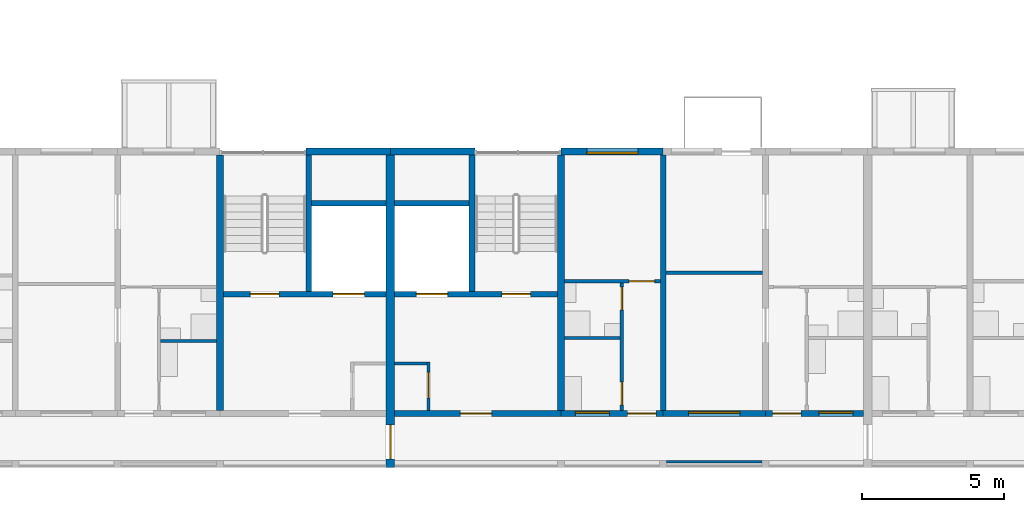
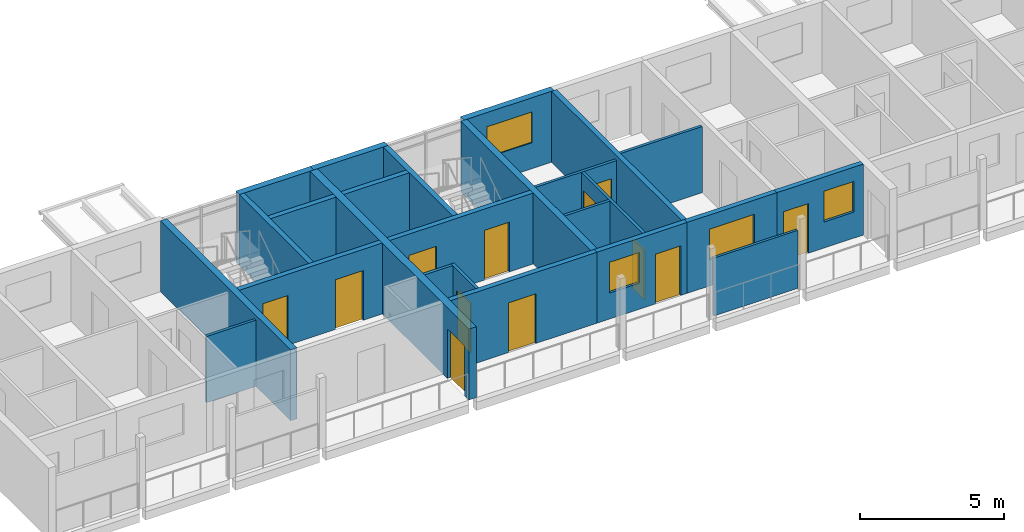
# One storey, part 46 of 94: 25 walls, 12 doors, 4 windows, 16 openings.
"""IFC4 building model written with IfcOpenShell, lengths in metres."""

from ifc_helpers import new_model, si_unit, direction, frame, frame_2d, origin, place, context, subcontext, project, spatial, rectangle, extrude, material, layer, layer_set, type_object, element, fill, save


model = new_model("IFC4")

# Units and contexts
model_context = context("Model", 3, precision=1e-05, world=origin(), true_north=direction((0.0, 1.0)))
body_context = subcontext(model_context, "Body", "Model", "MODEL_VIEW")
ifc_project = project(units=[si_unit("LENGTHUNIT", "METRE"), si_unit("AREAUNIT", "SQUARE_METRE"), si_unit("VOLUMEUNIT", "CUBIC_METRE"), si_unit("PLANEANGLEUNIT", "RADIAN"), si_unit("MASSUNIT", "GRAM", prefix="KILO")], contexts=[model_context])

# Site, building, storey
site_placement = place(None, origin())
site = spatial("IfcSite", under=ifc_project, at=site_placement, CompositionType="ELEMENT")
building_placement = place(site_placement, origin())
building = spatial("IfcBuilding", under=site, at=building_placement, Name="Ridgestep Commons", CompositionType="ELEMENT")
storey_placement = place(building_placement, frame((0.0, 0.0, 24.0)))
storey = spatial("IfcBuildingStorey", under=building, at=storey_placement, Name="L08", CompositionType="ELEMENT", Elevation=24.0)

# Walls
ifc_material_1 = material(Name="Concrete C30/37", Category="concrete")
ifc_layer_1 = layer(ifc_material_1, 0.25)
ifc_layer_set_1 = layer_set([ifc_layer_1], Name="Core cross wall 250")
wall_type_1 = type_object("IfcWallType", Name="Core cross wall 250", PredefinedType="SHEAR", material=ifc_layer_set_1)
for number, where, z_axis, x_axis, name in (
    (1, (157.60009765625, 13.75, 0.0), (0.0, 0.0, 1.0), (0.0, 1.0, 0.0), "Cross wall D-08-1576"),
    (2, (169.60009765625, 13.75, 0.0), (0.0, 0.0, 1.0), (0.0, 1.0, 0.0), "Cross wall D-08-1696"),
):
    element("IfcWall", number, at=place(storey_placement, frame(where, z_axis=z_axis, x_axis=x_axis)), inside=storey, type_object=wall_type_1, Name=name, PredefinedType="SHEAR", context=body_context, shape_type="SweptSolid", body=[
        extrude(rectangle(XDim=9.0, YDim=0.25, at=frame_2d((4.5, 0.0))), origin(), (0.0, 0.0, 1.0), 3.0),
    ])

# Wall, opening, door
ifc_material_2 = material(Name="Concrete C30/37", Category="concrete")
ifc_layer_2 = layer(ifc_material_2, 0.199951171875)
ifc_layer_set_2 = layer_set([ifc_layer_2], Name="Core south wall 200")
wall_type_2 = type_object("IfcWallType", Name="Core south wall 200", PredefinedType="SHEAR", material=ifc_layer_set_2)
wall_1_placement = place(storey_placement, frame((163.75, 13.64990234375, 0.0), z_axis=(0.0, 0.0, 1.0), x_axis=(1.0, 0.0, 0.0)))
wall_1 = element("IfcWall", 3, at=wall_1_placement, inside=storey, type_object=wall_type_2, Name="Core south wall D2C L08", PredefinedType="SHEAR", context=body_context, shape_type="SweptSolid", body=[
    extrude(rectangle(XDim=5.85009765625, YDim=0.199951171875, at=frame_2d((2.925048828125, 0.0))), origin(), (0.0, 0.0, 1.0), 3.0),
])
opening_1_placement = place(wall_1_placement, frame((2.3125, 0.0, 0.0)))
opening_1 = element("IfcOpeningElement", 4, at=opening_1_placement, cuts=wall_1, Name="Opening D2C/08/1", PredefinedType="OPENING", context=body_context, shape_type="SweptSolid", body=[
    extrude(rectangle(XDim=1.10009765625, YDim=2.10009765625, at=frame_2d((0.550048828125, 1.050048828125))), frame((0.0, 0.10986328125, 0.0), z_axis=(0.0, -1.0, 0.0), x_axis=(1.0, 0.0, 0.0)), (0.0, 0.0, 1.0), 0.219970703125),
])
ifc_material_3 = material(Name="Steel fire door", Category="steel")
door_type_1 = type_object("IfcDoorType", Name="Lobby door 1100 x 2100 FD60", OperationType="NOTDEFINED", PredefinedType="DOOR", material=ifc_material_3)
door_1_placement = place(opening_1_placement, origin())
door_1 = element("IfcDoor", 5, at=door_1_placement, inside=storey, type_object=door_type_1, Name="Lobby door D2C/08/1", OperationType="SINGLE_SWING_LEFT", OverallHeight=2.10009765625, OverallWidth=1.10009765625, PredefinedType="DOOR", context=body_context, shape_type="SweptSolid", body=[
    extrude(rectangle(XDim=1.10009765625, YDim=2.10009765625, at=frame_2d((0.550048828125, 1.050048828125))), frame((0.0, 0.02490234375, 0.0), z_axis=(0.0, -1.0, 0.0), x_axis=(1.0, 0.0, 0.0)), (0.0, 0.0, 1.0), 0.050048828125),
])
fill(opening_1, door_1)

ifc_material_4 = material(Name="Concrete C30/37", Category="concrete")
ifc_layer_3 = layer(ifc_material_4, 0.1201171875)
ifc_layer_set_3 = layer_set([ifc_layer_3], Name="Core wall 120")
wall_type_3 = type_object("IfcWallType", Name="Core wall 120", PredefinedType="SHEAR", material=ifc_layer_set_3)
wall_2_placement = place(storey_placement, frame((164.93994140625, 13.75, 0.0), z_axis=(0.0, 0.0, 1.0), x_axis=(0.0, 1.0, 0.0)))
wall_2 = element("IfcWall", 6, at=wall_2_placement, inside=storey, type_object=wall_type_3, Name="Core riser w wall D2C L08", PredefinedType="SHEAR", context=body_context, shape_type="SweptSolid", body=[
    extrude(rectangle(XDim=1.719970703125, YDim=0.1201171875, at=frame_2d((0.85986328125, 0.0))), origin(), (0.0, 0.0, 1.0), 3.0),
])
opening_2_placement = place(wall_2_placement, frame((0.449951171875, 0.0, 0.0)))
opening_2 = element("IfcOpeningElement", 7, at=opening_2_placement, cuts=wall_2, Name="Opening D2C/08/4", PredefinedType="OPENING", context=body_context, shape_type="SweptSolid", body=[
    extrude(rectangle(XDim=0.89990234375, YDim=2.10009765625, at=frame_2d((0.449951171875, 1.050048828125))), frame((0.0, 0.070068359375, 0.0), z_axis=(0.0, -1.0, 0.0), x_axis=(1.0, 0.0, 0.0)), (0.0, 0.0, 1.0), 0.14013671875),
])
ifc_material_5 = material(Name="Steel fire door", Category="steel")
door_type_2 = type_object("IfcDoorType", Name="Riser door 900 x 2100 FD60", OperationType="NOTDEFINED", PredefinedType="DOOR", material=ifc_material_5)
door_2_placement = place(opening_2_placement, origin())
door_2 = element("IfcDoor", 8, at=door_2_placement, inside=storey, type_object=door_type_2, Name="Riser door D2C/08/4", OperationType="SINGLE_SWING_RIGHT", OverallHeight=2.10009765625, OverallWidth=0.89990234375, PredefinedType="DOOR", context=body_context, shape_type="SweptSolid", body=[
    extrude(rectangle(XDim=0.89990234375, YDim=2.10009765625, at=frame_2d((0.449951171875, 1.050048828125))), frame((0.0, 0.02490234375, 0.0), z_axis=(0.0, -1.0, 0.0), x_axis=(1.0, 0.0, 0.0)), (0.0, 0.0, 1.0), 0.050048828125),
])
fill(opening_2, door_2)

# Wall
wall_3_placement = place(storey_placement, frame((163.75, 15.409912109375, 0.0), z_axis=(0.0, 0.0, 1.0), x_axis=(1.0, 0.0, 0.0)))
element("IfcWall", 9, at=wall_3_placement, inside=storey, type_object=wall_type_3, Name="Core riser n wall D2C L08", PredefinedType="SHEAR", context=body_context, shape_type="SweptSolid", body=[
    extrude(rectangle(XDim=1.1298828125, YDim=0.1201171875, at=frame_2d((0.56494140625, 0.0))), origin(), (0.0, 0.0, 1.0), 3.0),
])

# Wall, openings, doors
ifc_material_6 = material(Name="Concrete C30/37", Category="concrete")
ifc_layer_4 = layer(ifc_material_6, 0.199951171875)
ifc_layer_set_4 = layer_set([ifc_layer_4], Name="Core wall 200")
wall_type_4 = type_object("IfcWallType", Name="Core wall 200", PredefinedType="SHEAR", material=ifc_layer_set_4)
wall_4_placement = place(storey_placement, frame((157.72509765625, 17.85009765625, 0.0), z_axis=(0.0, 0.0, 1.0), x_axis=(1.0, 0.0, 0.0)))
wall_4 = element("IfcWall", 10, at=wall_4_placement, inside=storey, type_object=wall_type_4, Name="Core lobby wall D1C L08", PredefinedType="SHEAR", context=body_context, shape_type="SweptSolid", body=[
    extrude(rectangle(XDim=5.724853515625, YDim=0.199951171875, at=frame_2d((2.8623046875, 0.0))), origin(), (0.0, 0.0, 1.0), 3.0),
])
opening_3_placement = place(wall_4_placement, frame((0.949951171875, 0.0, 0.0)))
opening_3 = element("IfcOpeningElement", 11, at=opening_3_placement, cuts=wall_4, Name="Opening D1C/08/2", PredefinedType="OPENING", context=body_context, shape_type="SweptSolid", body=[
    extrude(rectangle(XDim=1.0, YDim=2.10009765625, at=frame_2d((0.5, 1.050048828125))), frame((0.0, 0.10986328125, 0.0), z_axis=(0.0, -1.0, 0.0), x_axis=(1.0, 0.0, 0.0)), (0.0, 0.0, 1.0), 0.219970703125),
])
opening_4_placement = place(wall_4_placement, frame((3.862548828125, 0.0, 0.0)))
opening_4 = element("IfcOpeningElement", 12, at=opening_4_placement, cuts=wall_4, Name="Opening D1C/08/3", PredefinedType="OPENING", context=body_context, shape_type="SweptSolid", body=[
    extrude(rectangle(XDim=1.10009765625, YDim=2.10009765625, at=frame_2d((0.550048828125, 1.050048828125))), frame((0.0, 0.10986328125, 0.0), z_axis=(0.0, -1.0, 0.0), x_axis=(1.0, 0.0, 0.0)), (0.0, 0.0, 1.0), 0.219970703125),
])
ifc_material_7 = material(Name="Stainless steel", Category="steel")
door_type_3 = type_object("IfcDoorType", Name="Lift landing door 1100 x 2100 FD60", OperationType="DOUBLE_DOOR_SLIDING", PredefinedType="DOOR", material=ifc_material_7)
door_3_placement = place(opening_4_placement, origin())
door_3 = element("IfcDoor", 13, at=door_3_placement, inside=storey, type_object=door_type_3, Name="Landing door LD D1C L08", OperationType="DOUBLE_DOOR_SLIDING", OverallHeight=2.10009765625, OverallWidth=1.10009765625, PredefinedType="DOOR", context=body_context, shape_type="SweptSolid", body=[
    extrude(rectangle(XDim=1.10009765625, YDim=2.10009765625, at=frame_2d((0.550048828125, 1.050048828125))), frame((0.0, 0.02490234375, 0.0), z_axis=(0.0, -1.0, 0.0), x_axis=(1.0, 0.0, 0.0)), (0.0, 0.0, 1.0), 0.050048828125),
])
fill(opening_4, door_3)
ifc_material_8 = material(Name="Steel fire door", Category="steel")
door_type_4 = type_object("IfcDoorType", Name="Stair door 1000 x 2100 FD60", OperationType="NOTDEFINED", PredefinedType="DOOR", material=ifc_material_8)
door_4_placement = place(opening_3_placement, origin())
door_4 = element("IfcDoor", 14, at=door_4_placement, inside=storey, type_object=door_type_4, Name="Stair door D1C/08/2", OperationType="SINGLE_SWING_RIGHT", OverallHeight=2.10009765625, OverallWidth=1.0, PredefinedType="DOOR", context=body_context, shape_type="SweptSolid", body=[
    extrude(rectangle(XDim=1.0, YDim=2.10009765625, at=frame_2d((0.5, 1.050048828125))), frame((0.0, 0.02490234375, 0.0), z_axis=(0.0, -1.0, 0.0), x_axis=(1.0, 0.0, 0.0)), (0.0, 0.0, 1.0), 0.050048828125),
])
fill(opening_3, door_4)

# Walls
wall_5_placement = place(storey_placement, frame((160.72509765625, 17.949951171875, 0.0), z_axis=(0.0, 0.0, 1.0), x_axis=(0.0, 1.0, 0.0)))
element("IfcWall", 15, at=wall_5_placement, inside=storey, type_object=wall_type_4, Name="Core stair wall D1C L08", PredefinedType="SHEAR", context=body_context, shape_type="SweptSolid", body=[
    extrude(rectangle(XDim=4.800048828125, YDim=0.199951171875, at=frame_2d((2.39990234375, 0.0))), origin(), (0.0, 0.0, 1.0), 3.0),
])
wall_6_placement = place(storey_placement, frame((160.824951171875, 21.050048828125, 0.0), z_axis=(0.0, 0.0, 1.0), x_axis=(1.0, 0.0, 0.0)))
element("IfcWall", 16, at=wall_6_placement, inside=storey, type_object=wall_type_4, Name="Core duct wall D1C L08", PredefinedType="SHEAR", context=body_context, shape_type="SweptSolid", body=[
    extrude(rectangle(XDim=2.625, YDim=0.199951171875, at=frame_2d((1.3125, 0.0))), origin(), (0.0, 0.0, 1.0), 3.0),
])

# Wall, openings, doors
wall_7_placement = place(storey_placement, frame((163.75, 17.85009765625, 0.0), z_axis=(0.0, 0.0, 1.0), x_axis=(1.0, 0.0, 0.0)))
wall_7 = element("IfcWall", 17, at=wall_7_placement, inside=storey, type_object=wall_type_4, Name="Core lobby wall D2C L08", PredefinedType="SHEAR", context=body_context, shape_type="SweptSolid", body=[
    extrude(rectangle(XDim=5.72509765625, YDim=0.199951171875, at=frame_2d((2.862548828125, 0.0))), origin(), (0.0, 0.0, 1.0), 3.0),
])
opening_5_placement = place(wall_7_placement, frame((3.77490234375, 0.0, 0.0)))
opening_5 = element("IfcOpeningElement", 18, at=opening_5_placement, cuts=wall_7, Name="Opening D2C/08/2", PredefinedType="OPENING", context=body_context, shape_type="SweptSolid", body=[
    extrude(rectangle(XDim=1.0, YDim=2.10009765625, at=frame_2d((0.5, 1.050048828125))), frame((0.0, 0.10986328125, 0.0), z_axis=(0.0, -1.0, 0.0), x_axis=(1.0, 0.0, 0.0)), (0.0, 0.0, 1.0), 0.219970703125),
])
opening_6_placement = place(wall_7_placement, frame((0.762451171875, 0.0, 0.0)))
opening_6 = element("IfcOpeningElement", 19, at=opening_6_placement, cuts=wall_7, Name="Opening D2C/08/3", PredefinedType="OPENING", context=body_context, shape_type="SweptSolid", body=[
    extrude(rectangle(XDim=1.10009765625, YDim=2.10009765625, at=frame_2d((0.550048828125, 1.050048828125))), frame((0.0, 0.10986328125, 0.0), z_axis=(0.0, -1.0, 0.0), x_axis=(1.0, 0.0, 0.0)), (0.0, 0.0, 1.0), 0.219970703125),
])
door_5_placement = place(opening_6_placement, origin())
door_5 = element("IfcDoor", 20, at=door_5_placement, inside=storey, type_object=door_type_3, Name="Landing door LD D2C L08", OperationType="DOUBLE_DOOR_SLIDING", OverallHeight=2.10009765625, OverallWidth=1.10009765625, PredefinedType="DOOR", context=body_context, shape_type="SweptSolid", body=[
    extrude(rectangle(XDim=1.10009765625, YDim=2.10009765625, at=frame_2d((0.550048828125, 1.050048828125))), frame((0.0, 0.02490234375, 0.0), z_axis=(0.0, -1.0, 0.0), x_axis=(1.0, 0.0, 0.0)), (0.0, 0.0, 1.0), 0.050048828125),
])
fill(opening_6, door_5)
door_6_placement = place(opening_5_placement, origin())
door_6 = element("IfcDoor", 21, at=door_6_placement, inside=storey, type_object=door_type_4, Name="Stair door D2C/08/2", OperationType="SINGLE_SWING_RIGHT", OverallHeight=2.10009765625, OverallWidth=1.0, PredefinedType="DOOR", context=body_context, shape_type="SweptSolid", body=[
    extrude(rectangle(XDim=1.0, YDim=2.10009765625, at=frame_2d((0.5, 1.050048828125))), frame((0.0, 0.02490234375, 0.0), z_axis=(0.0, -1.0, 0.0), x_axis=(1.0, 0.0, 0.0)), (0.0, 0.0, 1.0), 0.050048828125),
])
fill(opening_5, door_6)

# Walls
wall_8_placement = place(storey_placement, frame((166.47509765625, 17.949951171875, 0.0), z_axis=(0.0, 0.0, 1.0), x_axis=(0.0, 1.0, 0.0)))
element("IfcWall", 22, at=wall_8_placement, inside=storey, type_object=wall_type_4, Name="Core stair wall D2C L08", PredefinedType="SHEAR", context=body_context, shape_type="SweptSolid", body=[
    extrude(rectangle(XDim=4.800048828125, YDim=0.199951171875, at=frame_2d((2.39990234375, 0.0))), origin(), (0.0, 0.0, 1.0), 3.0),
])
wall_9_placement = place(storey_placement, frame((163.75, 21.050048828125, 0.0), z_axis=(0.0, 0.0, 1.0), x_axis=(1.0, 0.0, 0.0)))
element("IfcWall", 23, at=wall_9_placement, inside=storey, type_object=wall_type_4, Name="Core duct wall D2C L08", PredefinedType="SHEAR", context=body_context, shape_type="SweptSolid", body=[
    extrude(rectangle(XDim=2.625, YDim=0.199951171875, at=frame_2d((1.3125, 0.0))), origin(), (0.0, 0.0, 1.0), 3.0),
])
ifc_material_9 = material(Name="Precast concrete C40/50", Category="concrete")
ifc_layer_5 = layer(ifc_material_9, 0.199951171875)
ifc_layer_set_5 = layer_set([ifc_layer_5], Name="Cross wall 200")
wall_type_5 = type_object("IfcWallType", Name="Cross wall 200", PredefinedType="SHEAR", material=ifc_layer_set_5)
wall_10_placement = place(storey_placement, frame((173.199951171875, 13.75, 0.0), z_axis=(0.0, 0.0, 1.0), x_axis=(0.0, 1.0, 0.0)))
element("IfcWall", 24, at=wall_10_placement, inside=storey, type_object=wall_type_5, Name="Cross wall D-08-1732", PredefinedType="SHEAR", context=body_context, shape_type="SweptSolid", body=[
    extrude(rectangle(XDim=9.0, YDim=0.199951171875, at=frame_2d((4.5, 0.0))), origin(), (0.0, 0.0, 1.0), 3.0),
])

# Wall, opening, door
ifc_material_10 = material(Name="Precast concrete C40/50", Category="concrete")
ifc_layer_6 = layer(ifc_material_10, 0.300048828125)
ifc_layer_set_6 = layer_set([ifc_layer_6], Name="Division wall 300")
wall_type_6 = type_object("IfcWallType", Name="Division wall 300", PredefinedType="SHEAR", material=ifc_layer_set_6)
wall_11_placement = place(storey_placement, frame((163.60009765625, 11.75, 0.0), z_axis=(0.0, 0.0, 1.0), x_axis=(0.0, 1.0, 0.0)))
wall_11 = element("IfcWall", 25, at=wall_11_placement, inside=storey, type_object=wall_type_6, Name="Cross wall D-08-1636", PredefinedType="SHEAR", context=body_context, shape_type="SweptSolid", body=[
    extrude(rectangle(XDim=11.0, YDim=0.300048828125, at=frame_2d((5.5, 0.0))), origin(), (0.0, 0.0, 1.0), 3.0),
])
opening_7_placement = place(wall_11_placement, frame((0.300048828125, 0.0, 0.0)))
opening_7 = element("IfcOpeningElement", 26, at=opening_7_placement, cuts=wall_11, Name="Opening D/08/G1636", PredefinedType="OPENING", context=body_context, shape_type="SweptSolid", body=[
    extrude(rectangle(XDim=1.199951171875, YDim=2.10009765625, at=frame_2d((0.60009765625, 1.050048828125))), frame((0.0, 0.159912109375, 0.0), z_axis=(0.0, -1.0, 0.0), x_axis=(1.0, 0.0, 0.0)), (0.0, 0.0, 1.0), 0.320068359375),
])
ifc_material_11 = material(Name="Steel fire door", Category="steel")
door_type_5 = type_object("IfcDoorType", Name="Division fire door 1200 x 2100 EI 240", OperationType="DOUBLE_DOOR_SINGLE_SWING", PredefinedType="DOOR", material=ifc_material_11)
door_7_placement = place(opening_7_placement, origin())
door_7 = element("IfcDoor", 27, at=door_7_placement, inside=storey, type_object=door_type_5, Name="Division fire door D/08/G1636", OperationType="DOUBLE_DOOR_SINGLE_SWING", OverallHeight=2.10009765625, OverallWidth=1.199951171875, PredefinedType="DOOR", context=body_context, shape_type="SweptSolid", body=[
    extrude(rectangle(XDim=1.199951171875, YDim=2.10009765625, at=frame_2d((0.60009765625, 1.050048828125))), frame((0.0, 0.02490234375, 0.0), z_axis=(0.0, -1.0, 0.0), x_axis=(1.0, 0.0, 0.0)), (0.0, 0.0, 1.0), 0.050048828125),
])
fill(opening_7, door_7)

# Walls
ifc_material_12 = material(Name="Precast concrete C40/50", Category="concrete")
ifc_layer_7 = layer(ifc_material_12, 0.25)
ifc_layer_set_7 = layer_set([ifc_layer_7], Name="North facade panel 250")
wall_type_7 = type_object("IfcWallType", Name="North facade panel 250", PredefinedType="SOLIDWALL", material=ifc_layer_set_7)
wall_12_placement = place(storey_placement, frame((160.625, 22.875, 0.0), z_axis=(0.0, 0.0, 1.0), x_axis=(1.0, 0.0, 0.0)))
element("IfcWall", 28, at=wall_12_placement, inside=storey, type_object=wall_type_7, Name="North panel D1C L08", PredefinedType="SOLIDWALL", context=body_context, shape_type="SweptSolid", body=[
    extrude(rectangle(XDim=2.97509765625, YDim=0.25, at=frame_2d((1.487548828125, 0.0))), origin(), (0.0, 0.0, 1.0), 3.0),
])
wall_13_placement = place(storey_placement, frame((163.60009765625, 22.875, 0.0), z_axis=(0.0, 0.0, 1.0), x_axis=(1.0, 0.0, 0.0)))
element("IfcWall", 29, at=wall_13_placement, inside=storey, type_object=wall_type_7, Name="North panel D2C L08", PredefinedType="SOLIDWALL", context=body_context, shape_type="SweptSolid", body=[
    extrude(rectangle(XDim=2.974853515625, YDim=0.25, at=frame_2d((1.4873046875, 0.0))), origin(), (0.0, 0.0, 1.0), 3.0),
])

# Wall, opening, window
wall_14_placement = place(storey_placement, frame((169.60009765625, 22.875, 0.0), z_axis=(0.0, 0.0, 1.0), x_axis=(1.0, 0.0, 0.0)))
wall_14 = element("IfcWall", 30, at=wall_14_placement, inside=storey, type_object=wall_type_7, Name="North panel D2T3 L08", PredefinedType="SOLIDWALL", context=body_context, shape_type="SweptSolid", body=[
    extrude(rectangle(XDim=3.599853515625, YDim=0.25, at=frame_2d((1.7998046875, 0.0))), origin(), (0.0, 0.0, 1.0), 3.0),
])
opening_8_placement = place(wall_14_placement, frame((0.91259765625, 0.0, 1.10009765625)))
opening_8 = element("IfcOpeningElement", 31, at=opening_8_placement, cuts=wall_14, Name="Opening W18", PredefinedType="OPENING", context=body_context, shape_type="SweptSolid", body=[
    extrude(rectangle(XDim=1.800048828125, YDim=1.300048828125, at=frame_2d((0.89990234375, 0.64990234375))), frame((0.0, 0.135009765625, 0.0), z_axis=(0.0, -1.0, 0.0), x_axis=(1.0, 0.0, 0.0)), (0.0, 0.0, 1.0), 0.27001953125),
])
ifc_material_13 = material(Name="Aluminium 6063-T6 and glass", Category="aluminium")
window_type_1 = type_object("IfcWindowType", Name="Flat window 1800 x 1300", PartitioningType="DOUBLE_PANEL_VERTICAL", PredefinedType="WINDOW", material=ifc_material_13)
window_1_placement = place(opening_8_placement, origin())
window_1 = element("IfcWindow", 32, at=window_1_placement, inside=storey, type_object=window_type_1, Name="Window D2-08b 2", OverallHeight=1.300048828125, OverallWidth=1.800048828125, PartitioningType="SINGLE_PANEL", PredefinedType="WINDOW", context=body_context, shape_type="SweptSolid", body=[
    extrude(rectangle(XDim=1.800048828125, YDim=1.300048828125, at=frame_2d((0.89990234375, 0.64990234375))), frame((0.0, -0.02490234375, 0.0), z_axis=(0.0, -1.0, 0.0), x_axis=(1.0, 0.0, 0.0)), (0.0, 0.0, 1.0), 0.06005859375),
])
fill(opening_8, window_1)

# Walls
ifc_material_14 = material(Name="Common brick 110 mm", Category="masonry")
ifc_layer_8 = layer(ifc_material_14, 0.110107421875)
ifc_layer_set_8 = layer_set([ifc_layer_8], Name="Partition 110")
wall_type_8 = type_object("IfcWallType", Name="Partition 110", PredefinedType="PARTITIONING", material=ifc_layer_set_8)
wall_15_placement = place(storey_placement, frame((155.510009765625, 16.205078125, 0.0), z_axis=(0.0, 0.0, 1.0), x_axis=(1.0, 0.0, 0.0)))
element("IfcWall", 33, at=wall_15_placement, inside=storey, type_object=wall_type_8, Name="Partition D1-08b", PredefinedType="PARTITIONING", context=body_context, shape_type="SweptSolid", body=[
    extrude(rectangle(XDim=1.965087890625, YDim=0.110107421875, at=frame_2d((0.982421875, 0.0))), origin(), (0.0, 0.0, 1.0), 2.800048828125),
])
wall_16_placement = place(storey_placement, frame((173.300048828125, 18.60498046875, 0.0), z_axis=(0.0, 0.0, 1.0), x_axis=(1.0, 0.0, 0.0)))
element("IfcWall", 34, at=wall_16_placement, inside=storey, type_object=wall_type_8, Name="Partition D2-08a", PredefinedType="PARTITIONING", context=body_context, shape_type="SweptSolid", body=[
    extrude(rectangle(XDim=3.39990234375, YDim=0.110107421875, at=frame_2d((1.699951171875, 0.0))), origin(), (0.0, 0.0, 1.0), 2.800048828125),
])
wall_17_placement = place(storey_placement, frame((169.72509765625, 16.304931640625, 0.0), z_axis=(0.0, 0.0, 1.0), x_axis=(1.0, 0.0, 0.0)))
element("IfcWall", 35, at=wall_17_placement, inside=storey, type_object=wall_type_8, Name="Partition D2-08b", PredefinedType="PARTITIONING", context=body_context, shape_type="SweptSolid", body=[
    extrude(rectangle(XDim=1.96484375, YDim=0.110107421875, at=frame_2d((0.982421875, 0.0))), origin(), (0.0, 0.0, 1.0), 2.800048828125),
])

# Wall, openings, doors
wall_18_placement = place(storey_placement, frame((171.7451171875, 13.75, 0.0), z_axis=(0.0, 0.0, 1.0), x_axis=(0.0, 1.0, 0.0)))
wall_18 = element("IfcWall", 36, at=wall_18_placement, inside=storey, type_object=wall_type_8, Name="Partition D2-08b", PredefinedType="PARTITIONING", context=body_context, shape_type="SweptSolid", body=[
    extrude(rectangle(XDim=4.5, YDim=0.110107421875, at=frame_2d((2.25, 0.0))), origin(), (0.0, 0.0, 1.0), 2.800048828125),
])
opening_9_placement = place(wall_18_placement, frame((0.199951171875, 0.0, 0.0)))
opening_9 = element("IfcOpeningElement", 37, at=opening_9_placement, cuts=wall_18, Name="Opening D2-08b/2", PredefinedType="OPENING", context=body_context, shape_type="SweptSolid", body=[
    extrude(rectangle(XDim=0.800048828125, YDim=2.10009765625, at=frame_2d((0.39990234375, 1.050048828125))), frame((0.0, 0.06494140625, 0.0), z_axis=(0.0, -1.0, 0.0), x_axis=(1.0, 0.0, 0.0)), (0.0, 0.0, 1.0), 0.130126953125),
])
opening_10_placement = place(wall_18_placement, frame((3.550048828125, 0.0, 0.0)))
opening_10 = element("IfcOpeningElement", 38, at=opening_10_placement, cuts=wall_18, Name="Opening D2-08b/3", PredefinedType="OPENING", context=body_context, shape_type="SweptSolid", body=[
    extrude(rectangle(XDim=0.800048828125, YDim=2.10009765625, at=frame_2d((0.39990234375, 1.050048828125))), frame((0.0, 0.06494140625, 0.0), z_axis=(0.0, -1.0, 0.0), x_axis=(1.0, 0.0, 0.0)), (0.0, 0.0, 1.0), 0.130126953125),
])
ifc_material_15 = material(Name="Timber door leaf", Category="wood")
door_type_6 = type_object("IfcDoorType", Name="Internal door 800 x 2100", OperationType="NOTDEFINED", PredefinedType="DOOR", material=ifc_material_15)
door_8_placement = place(opening_9_placement, origin())
door_8 = element("IfcDoor", 39, at=door_8_placement, inside=storey, type_object=door_type_6, Name="Internal door D2-08b/2", OperationType="SINGLE_SWING_LEFT", OverallHeight=2.10009765625, OverallWidth=0.800048828125, PredefinedType="DOOR", context=body_context, shape_type="SweptSolid", body=[
    extrude(rectangle(XDim=0.800048828125, YDim=2.10009765625, at=frame_2d((0.39990234375, 1.050048828125))), frame((0.0, 0.02490234375, 0.0), z_axis=(0.0, -1.0, 0.0), x_axis=(1.0, 0.0, 0.0)), (0.0, 0.0, 1.0), 0.050048828125),
])
fill(opening_9, door_8)
door_9_placement = place(opening_10_placement, origin())
door_9 = element("IfcDoor", 40, at=door_9_placement, inside=storey, type_object=door_type_6, Name="Internal door D2-08b/3", OperationType="SINGLE_SWING_RIGHT", OverallHeight=2.10009765625, OverallWidth=0.800048828125, PredefinedType="DOOR", context=body_context, shape_type="SweptSolid", body=[
    extrude(rectangle(XDim=0.800048828125, YDim=2.10009765625, at=frame_2d((0.39990234375, 1.050048828125))), frame((0.0, 0.02490234375, 0.0), z_axis=(0.0, -1.0, 0.0), x_axis=(1.0, 0.0, 0.0)), (0.0, 0.0, 1.0), 0.050048828125),
])
fill(opening_10, door_9)

# Wall, opening, door
wall_19_placement = place(storey_placement, frame((169.72509765625, 18.304931640625, 0.0), z_axis=(0.0, 0.0, 1.0), x_axis=(1.0, 0.0, 0.0)))
wall_19 = element("IfcWall", 41, at=wall_19_placement, inside=storey, type_object=wall_type_8, Name="Partition D2-08b", PredefinedType="PARTITIONING", context=body_context, shape_type="SweptSolid", body=[
    extrude(rectangle(XDim=3.375, YDim=0.110107421875, at=frame_2d((1.6875, 0.0))), origin(), (0.0, 0.0, 1.0), 2.800048828125),
])
opening_11_placement = place(wall_19_placement, frame((2.27490234375, 0.0, 0.0)))
opening_11 = element("IfcOpeningElement", 42, at=opening_11_placement, cuts=wall_19, Name="Opening D2-08b/4", PredefinedType="OPENING", context=body_context, shape_type="SweptSolid", body=[
    extrude(rectangle(XDim=0.89990234375, YDim=2.10009765625, at=frame_2d((0.449951171875, 1.050048828125))), frame((0.0, 0.06494140625, 0.0), z_axis=(0.0, -1.0, 0.0), x_axis=(1.0, 0.0, 0.0)), (0.0, 0.0, 1.0), 0.130126953125),
])
ifc_material_16 = material(Name="Timber door leaf", Category="wood")
door_type_7 = type_object("IfcDoorType", Name="Internal door 900 x 2100", OperationType="NOTDEFINED", PredefinedType="DOOR", material=ifc_material_16)
door_10_placement = place(opening_11_placement, origin())
door_10 = element("IfcDoor", 43, at=door_10_placement, inside=storey, type_object=door_type_7, Name="Internal door D2-08b/4", OperationType="SINGLE_SWING_LEFT", OverallHeight=2.10009765625, OverallWidth=0.89990234375, PredefinedType="DOOR", context=body_context, shape_type="SweptSolid", body=[
    extrude(rectangle(XDim=0.89990234375, YDim=2.10009765625, at=frame_2d((0.449951171875, 1.050048828125))), frame((0.0, 0.02490234375, 0.0), z_axis=(0.0, -1.0, 0.0), x_axis=(1.0, 0.0, 0.0)), (0.0, 0.0, 1.0), 0.050048828125),
])
fill(opening_11, door_10)

# Wall
ifc_material_17 = material(Name="Precast concrete C30/37", Category="concrete")
ifc_layer_9 = layer(ifc_material_17, 0.10009765625)
ifc_layer_set_9 = layer_set([ifc_layer_9], Name="Perforated gallery screen 3350 x 2450 x 100")
wall_type_9 = type_object("IfcWallType", Name="Perforated gallery screen 3350 x 2450 x 100", PredefinedType="SOLIDWALL", material=ifc_layer_set_9)
wall_20_placement = place(storey_placement, frame((173.324951171875, 11.949951171875, 0.0), z_axis=(0.0, 0.0, 1.0), x_axis=(1.0, 0.0, 0.0)))
element("IfcWall", 44, at=wall_20_placement, inside=storey, type_object=wall_type_9, Name="Gallery screen D2T2 08", PredefinedType="SOLIDWALL", context=body_context, shape_type="SweptSolid", body=[
    extrude(rectangle(XDim=3.35009765625, YDim=0.10009765625, at=frame_2d((1.675048828125, 0.0))), origin(), (0.0, 0.0, 1.0), 2.449951171875),
])

# Wall, openings, door, window
ifc_material_18 = material(Name="Precast concrete C40/50", Category="concrete")
ifc_layer_10 = layer(ifc_material_18, 0.199951171875)
ifc_layer_set_10 = layer_set([ifc_layer_10], Name="South facade panel 200")
wall_type_10 = type_object("IfcWallType", Name="South facade panel 200", PredefinedType="SOLIDWALL", material=ifc_layer_set_10)
wall_21_placement = place(storey_placement, frame((169.60009765625, 13.64990234375, 0.0), z_axis=(0.0, 0.0, 1.0), x_axis=(1.0, 0.0, 0.0)))
wall_21 = element("IfcWall", 45, at=wall_21_placement, inside=storey, type_object=wall_type_10, Name="South panel D2T3 L08", PredefinedType="SOLIDWALL", context=body_context, shape_type="SweptSolid", body=[
    extrude(rectangle(XDim=3.599853515625, YDim=0.199951171875, at=frame_2d((1.7998046875, 0.0))), origin(), (0.0, 0.0, 1.0), 3.0),
])
opening_12_placement = place(wall_21_placement, frame((0.507568359375, 0.0, 1.10009765625)))
opening_12 = element("IfcOpeningElement", 46, at=opening_12_placement, cuts=wall_21, Name="Opening W08", PredefinedType="OPENING", context=body_context, shape_type="SweptSolid", body=[
    extrude(rectangle(XDim=1.199951171875, YDim=1.300048828125, at=frame_2d((0.60009765625, 0.64990234375))), frame((0.0, 0.10986328125, 0.0), z_axis=(0.0, -1.0, 0.0), x_axis=(1.0, 0.0, 0.0)), (0.0, 0.0, 1.0), 0.219970703125),
])
opening_13_placement = place(wall_21_placement, frame((2.35009765625, 0.0, 0.0)))
opening_13 = element("IfcOpeningElement", 47, at=opening_13_placement, cuts=wall_21, Name="Opening D2-08b/1", PredefinedType="OPENING", context=body_context, shape_type="SweptSolid", body=[
    extrude(rectangle(XDim=1.0, YDim=2.10009765625, at=frame_2d((0.5, 1.050048828125))), frame((0.0, 0.10986328125, 0.0), z_axis=(0.0, -1.0, 0.0), x_axis=(1.0, 0.0, 0.0)), (0.0, 0.0, 1.0), 0.219970703125),
])
ifc_material_19 = material(Name="Timber door leaf", Category="wood")
door_type_8 = type_object("IfcDoorType", Name="Flat entrance door 1000 x 2100 FD30S", OperationType="NOTDEFINED", PredefinedType="DOOR", material=ifc_material_19)
door_11_placement = place(opening_13_placement, origin())
door_11 = element("IfcDoor", 48, at=door_11_placement, inside=storey, type_object=door_type_8, Name="Flat entrance door D2-08b/1", OperationType="SINGLE_SWING_RIGHT", OverallHeight=2.10009765625, OverallWidth=1.0, PredefinedType="DOOR", context=body_context, shape_type="SweptSolid", body=[
    extrude(rectangle(XDim=1.0, YDim=2.10009765625, at=frame_2d((0.5, 1.050048828125))), frame((0.0, 0.02490234375, 0.0), z_axis=(0.0, -1.0, 0.0), x_axis=(1.0, 0.0, 0.0)), (0.0, 0.0, 1.0), 0.050048828125),
])
fill(opening_13, door_11)
ifc_material_20 = material(Name="Aluminium 6063-T6 and glass", Category="aluminium")
window_type_2 = type_object("IfcWindowType", Name="Flat window 1200 x 1300", PartitioningType="SINGLE_PANEL", PredefinedType="WINDOW", material=ifc_material_20)
window_2_placement = place(opening_12_placement, origin())
window_2 = element("IfcWindow", 49, at=window_2_placement, inside=storey, type_object=window_type_2, Name="Window D2-08b 1", OverallHeight=1.300048828125, OverallWidth=1.199951171875, PartitioningType="SINGLE_PANEL", PredefinedType="WINDOW", context=body_context, shape_type="SweptSolid", body=[
    extrude(rectangle(XDim=1.199951171875, YDim=1.300048828125, at=frame_2d((0.60009765625, 0.64990234375))), frame((0.0, 0.06005859375, 0.0), z_axis=(0.0, -1.0, 0.0), x_axis=(1.0, 0.0, 0.0)), (0.0, 0.0, 1.0), 0.06005859375),
])
fill(opening_12, window_2)

# Wall, opening, window
wall_22_placement = place(storey_placement, frame((173.199951171875, 13.64990234375, 0.0), z_axis=(0.0, 0.0, 1.0), x_axis=(1.0, 0.0, 0.0)))
wall_22 = element("IfcWall", 50, at=wall_22_placement, inside=storey, type_object=wall_type_10, Name="South panel D2T2 L08", PredefinedType="SOLIDWALL", context=body_context, shape_type="SweptSolid", body=[
    extrude(rectangle(XDim=3.60009765625, YDim=0.199951171875, at=frame_2d((1.800048828125, 0.0))), origin(), (0.0, 0.0, 1.0), 3.0),
])
opening_14_placement = place(wall_22_placement, frame((0.89990234375, 0.0, 1.10009765625)))
opening_14 = element("IfcOpeningElement", 51, at=opening_14_placement, cuts=wall_22, Name="Opening W18", PredefinedType="OPENING", context=body_context, shape_type="SweptSolid", body=[
    extrude(rectangle(XDim=1.800048828125, YDim=1.300048828125, at=frame_2d((0.89990234375, 0.64990234375))), frame((0.0, 0.10986328125, 0.0), z_axis=(0.0, -1.0, 0.0), x_axis=(1.0, 0.0, 0.0)), (0.0, 0.0, 1.0), 0.219970703125),
])
window_3_placement = place(opening_14_placement, origin())
window_3 = element("IfcWindow", 52, at=window_3_placement, inside=storey, type_object=window_type_1, Name="Window D2-08a 1", OverallHeight=1.300048828125, OverallWidth=1.800048828125, PartitioningType="SINGLE_PANEL", PredefinedType="WINDOW", context=body_context, shape_type="SweptSolid", body=[
    extrude(rectangle(XDim=1.800048828125, YDim=1.300048828125, at=frame_2d((0.89990234375, 0.64990234375))), frame((0.0, 0.06005859375, 0.0), z_axis=(0.0, -1.0, 0.0), x_axis=(1.0, 0.0, 0.0)), (0.0, 0.0, 1.0), 0.06005859375),
])
fill(opening_14, window_3)

# Wall, openings, door, window
wall_23_placement = place(storey_placement, frame((176.800048828125, 13.64990234375, 0.0), z_axis=(0.0, 0.0, 1.0), x_axis=(1.0, 0.0, 0.0)))
wall_23 = element("IfcWall", 53, at=wall_23_placement, inside=storey, type_object=wall_type_10, Name="South panel D2T1 L08", PredefinedType="SOLIDWALL", context=body_context, shape_type="SweptSolid", body=[
    extrude(rectangle(XDim=3.449951171875, YDim=0.199951171875, at=frame_2d((1.72509765625, 0.0))), origin(), (0.0, 0.0, 1.0), 3.0),
])
opening_15_placement = place(wall_23_placement, frame((1.8798828125, 0.0, 1.10009765625)))
opening_15 = element("IfcOpeningElement", 54, at=opening_15_placement, cuts=wall_23, Name="Opening W08", PredefinedType="OPENING", context=body_context, shape_type="SweptSolid", body=[
    extrude(rectangle(XDim=1.199951171875, YDim=1.300048828125, at=frame_2d((0.60009765625, 0.64990234375))), frame((0.0, 0.10986328125, 0.0), z_axis=(0.0, -1.0, 0.0), x_axis=(1.0, 0.0, 0.0)), (0.0, 0.0, 1.0), 0.219970703125),
])
opening_16_placement = place(wall_23_placement, frame((0.25, 0.0, 0.0)))
opening_16 = element("IfcOpeningElement", 55, at=opening_16_placement, cuts=wall_23, Name="Opening D2-08a/1", PredefinedType="OPENING", context=body_context, shape_type="SweptSolid", body=[
    extrude(rectangle(XDim=1.0, YDim=2.10009765625, at=frame_2d((0.5, 1.050048828125))), frame((0.0, 0.10986328125, 0.0), z_axis=(0.0, -1.0, 0.0), x_axis=(1.0, 0.0, 0.0)), (0.0, 0.0, 1.0), 0.219970703125),
])
door_12_placement = place(opening_16_placement, origin())
door_12 = element("IfcDoor", 56, at=door_12_placement, inside=storey, type_object=door_type_8, Name="Flat entrance door D2-08a/1", OperationType="SINGLE_SWING_LEFT", OverallHeight=2.10009765625, OverallWidth=1.0, PredefinedType="DOOR", context=body_context, shape_type="SweptSolid", body=[
    extrude(rectangle(XDim=1.0, YDim=2.10009765625, at=frame_2d((0.5, 1.050048828125))), frame((0.0, 0.02490234375, 0.0), z_axis=(0.0, -1.0, 0.0), x_axis=(1.0, 0.0, 0.0)), (0.0, 0.0, 1.0), 0.050048828125),
])
fill(opening_16, door_12)
window_4_placement = place(opening_15_placement, origin())
window_4 = element("IfcWindow", 57, at=window_4_placement, inside=storey, type_object=window_type_2, Name="Window D2-08a 3", OverallHeight=1.300048828125, OverallWidth=1.199951171875, PartitioningType="SINGLE_PANEL", PredefinedType="WINDOW", context=body_context, shape_type="SweptSolid", body=[
    extrude(rectangle(XDim=1.199951171875, YDim=1.300048828125, at=frame_2d((0.60009765625, 0.64990234375))), frame((0.0, 0.06005859375, 0.0), z_axis=(0.0, -1.0, 0.0), x_axis=(1.0, 0.0, 0.0)), (0.0, 0.0, 1.0), 0.06005859375),
])
fill(opening_15, window_4)

save(model, "model.ifc")
